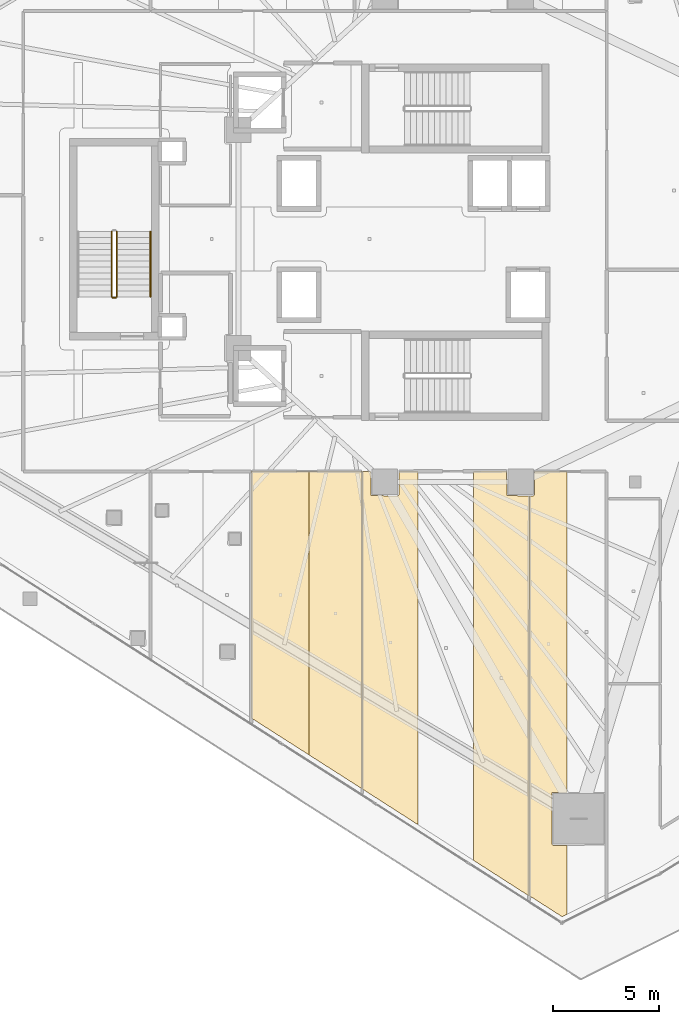
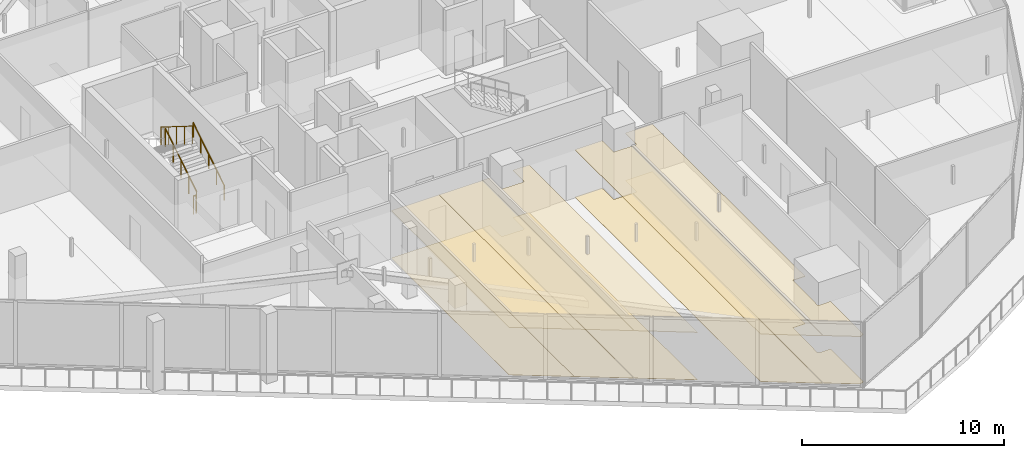
# One storey, part 40 of 47: 10 coverings, 4 railings.
"""IFC4 building model written with IfcOpenShell, lengths in metres."""

from ifc_helpers import new_model, si_unit, direction, frame, origin, origin_2d, place, context, subcontext, project, spatial, polyline, circle, outline, extrude, material, layer, layer_set, type_object, element, save


model = new_model("IFC4")

# Units and contexts
model_context = context("Model", 3, precision=1e-05, world=origin(), true_north=direction((0.0, 1.0)))
body_context = subcontext(model_context, "Body", "Model", "MODEL_VIEW")
ifc_project = project(units=[si_unit("LENGTHUNIT", "METRE"), si_unit("AREAUNIT", "SQUARE_METRE"), si_unit("VOLUMEUNIT", "CUBIC_METRE"), si_unit("PLANEANGLEUNIT", "RADIAN"), si_unit("MASSUNIT", "GRAM", prefix="KILO")], contexts=[model_context])

# Site, building, storey
site_placement = place(None, origin())
site = spatial("IfcSite", under=ifc_project, at=site_placement, CompositionType="ELEMENT")
building_placement = place(site_placement, origin())
building = spatial("IfcBuilding", under=site, at=building_placement, Name="Qorvath Tower", CompositionType="ELEMENT")
storey_placement = place(building_placement, frame((0.0, 0.0, 74.39990234375)))
storey = spatial("IfcBuildingStorey", under=building, at=storey_placement, Name="L16", CompositionType="ELEMENT", Elevation=74.39990234375)

# Coverings
ifc_material_1 = material(Name="Acoustic mineral fibre ceiling tile", Category="gypsum")
ifc_layer_1 = layer(ifc_material_1, 0.030029296875)
ifc_layer_set_1 = layer_set([ifc_layer_1], Name="COV-CEIL")
covering_type_1 = type_object("IfcCoveringType", Name="COV-CEIL", PredefinedType="CEILING", material=ifc_layer_set_1)
covering_1_placement = place(storey_placement, frame((0.0, 0.0, 2.85009765625)))
element("IfcCovering", 1, at=covering_1_placement, inside=storey, type_object=covering_type_1, Name="L16 Suspended Acoustic Ceiling 016", PredefinedType="CEILING", context=body_context, shape_type="SweptSolid", body=[
    extrude(outline(polyline([(-27.168701171875, -24.3251953125), (-27.168701171875, -10.962890625), (-29.883544921875, -10.962890625), (-29.883544921875, -22.590087890625), (-27.168701171875, -24.3251953125)])), origin(), (0.0, 0.0, 1.0), 0.030029296875),
])
covering_2_placement = place(storey_placement, frame((0.0, 0.0, 2.85009765625)))
element("IfcCovering", 2, at=covering_2_placement, inside=storey, type_object=covering_type_1, Name="L16 Suspended Acoustic Ceiling 017", PredefinedType="CEILING", context=body_context, shape_type="SweptSolid", body=[
    extrude(outline(polyline([(-24.671630859375, -10.962890625), (-27.168701171875, -10.962890625), (-27.168701171875, -24.3251953125), (-24.671630859375, -25.9208984375), (-24.671630859375, -10.962890625)])), origin(), (0.0, 0.0, 1.0), 0.030029296875),
])
covering_3_placement = place(storey_placement, frame((0.0, 0.0, 2.85009765625)))
element("IfcCovering", 3, at=covering_3_placement, inside=storey, type_object=covering_type_1, Name="L16 Suspended Acoustic Ceiling 018", PredefinedType="CEILING", context=body_context, shape_type="SweptSolid", body=[
    extrude(outline(polyline([(-24.65380859375, -25.9326171875), (-22.031005859375, -27.615478515625), (-22.031005859375, -10.958740234375), (-22.93994140625, -10.962890625), (-22.93994140625, -12.050048828125), (-23.0, -12.110107421875), (-24.242431640625, -12.092529296875), (-24.260009765625, -10.962890625), (-24.65380859375, -10.962890625), (-24.65380859375, -25.9326171875)])), origin(), (0.0, 0.0, 1.0), 0.030029296875),
])
covering_4_placement = place(storey_placement, frame((0.0, 0.0, 2.85009765625)))
element("IfcCovering", 4, at=covering_4_placement, inside=storey, type_object=covering_type_1, Name="L16 Suspended Acoustic Ceiling 020", PredefinedType="CEILING", context=body_context, shape_type="SweptSolid", body=[
    extrude(outline(polyline([(-19.408447265625, -10.947021484375), (-19.408447265625, -29.298095703125), (-16.80517578125, -30.968505859375), (-16.78564453125, -12.110107421875), (-17.842529296875, -12.092529296875), (-17.860107421875, -10.940185546875), (-19.408447265625, -10.947021484375)])), origin(), (0.0, 0.0, 1.0), 0.030029296875),
])
covering_5_placement = place(storey_placement, frame((0.0, 0.0, 2.85009765625)))
element("IfcCovering", 5, at=covering_5_placement, inside=storey, type_object=covering_type_1, Name="L16 Suspended Acoustic Ceiling 021", PredefinedType="CEILING", context=body_context, shape_type="SweptSolid", body=[
    extrude(outline(polyline([(-15.00830078125, -31.837158203125), (-15.00830078125, -28.5859375), (-15.664306640625, -28.5908203125), (-15.724365234375, -28.53076171875), (-15.706787109375, -26.08837890625), (-15.00830078125, -26.08837890625), (-15.00830078125, -10.962890625), (-16.5400390625, -10.962890625), (-16.5400390625, -12.050048828125), (-16.60009765625, -12.110107421875), (-16.767822265625, -12.110107421875), (-16.787353515625, -30.960205078125), (-15.236572265625, -31.951416015625), (-15.00830078125, -31.837158203125)])), origin(), (0.0, 0.0, 1.0), 0.030029296875),
])
ifc_material_2 = material(Name="Low-VOC modular carpet tile", Category="textile")
ifc_layer_2 = layer(ifc_material_2, 0.014892578125)
ifc_layer_set_2 = layer_set([ifc_layer_2], Name="COV-FLOOR-CPT")
covering_type_2 = type_object("IfcCoveringType", Name="COV-FLOOR-CPT", PredefinedType="FLOORING", material=ifc_layer_set_2)
covering_6_placement = place(storey_placement, origin())
element("IfcCovering", 6, at=covering_6_placement, inside=storey, type_object=covering_type_2, Name="L16 Floor Finish 016", PredefinedType="FLOORING", context=body_context, shape_type="SweptSolid", body=[
    extrude(outline(polyline([(-27.168701171875, -24.3251953125), (-27.168701171875, -10.962890625), (-29.883544921875, -10.962890625), (-29.883544921875, -22.590087890625), (-27.168701171875, -24.3251953125)])), origin(), (0.0, 0.0, 1.0), 0.01513671875),
])
covering_7_placement = place(storey_placement, origin())
element("IfcCovering", 7, at=covering_7_placement, inside=storey, type_object=covering_type_2, Name="L16 Floor Finish 017", PredefinedType="FLOORING", context=body_context, shape_type="SweptSolid", body=[
    extrude(outline(polyline([(-24.671630859375, -10.962890625), (-27.168701171875, -10.962890625), (-27.168701171875, -24.3251953125), (-24.671630859375, -25.9208984375), (-24.671630859375, -10.962890625)])), origin(), (0.0, 0.0, 1.0), 0.01513671875),
])
covering_8_placement = place(storey_placement, origin())
element("IfcCovering", 8, at=covering_8_placement, inside=storey, type_object=covering_type_2, Name="L16 Floor Finish 018", PredefinedType="FLOORING", context=body_context, shape_type="SweptSolid", body=[
    extrude(outline(polyline([(-24.65380859375, -25.9326171875), (-22.031005859375, -27.615478515625), (-22.031005859375, -10.958740234375), (-22.93994140625, -10.962890625), (-22.93994140625, -12.050048828125), (-23.0, -12.110107421875), (-24.242431640625, -12.092529296875), (-24.260009765625, -10.962890625), (-24.65380859375, -10.962890625), (-24.65380859375, -25.9326171875)])), origin(), (0.0, 0.0, 1.0), 0.01513671875),
])
covering_9_placement = place(storey_placement, origin())
element("IfcCovering", 9, at=covering_9_placement, inside=storey, type_object=covering_type_2, Name="L16 Floor Finish 020", PredefinedType="FLOORING", context=body_context, shape_type="SweptSolid", body=[
    extrude(outline(polyline([(-19.408447265625, -10.947021484375), (-19.408447265625, -29.298095703125), (-16.80517578125, -30.968505859375), (-16.78564453125, -12.110107421875), (-17.842529296875, -12.092529296875), (-17.860107421875, -10.940185546875), (-19.408447265625, -10.947021484375)])), origin(), (0.0, 0.0, 1.0), 0.01513671875),
])
covering_10_placement = place(storey_placement, origin())
element("IfcCovering", 10, at=covering_10_placement, inside=storey, type_object=covering_type_2, Name="L16 Floor Finish 021", PredefinedType="FLOORING", context=body_context, shape_type="SweptSolid", body=[
    extrude(outline(polyline([(-15.00830078125, -31.837158203125), (-15.00830078125, -28.5859375), (-15.664306640625, -28.5908203125), (-15.724365234375, -28.53076171875), (-15.706787109375, -26.08837890625), (-15.00830078125, -26.08837890625), (-15.00830078125, -10.962890625), (-16.5400390625, -10.962890625), (-16.5400390625, -12.050048828125), (-16.60009765625, -12.110107421875), (-16.767822265625, -12.110107421875), (-16.787353515625, -30.960205078125), (-15.236572265625, -31.951416015625), (-15.00830078125, -31.837158203125)])), origin(), (0.0, 0.0, 1.0), 0.01513671875),
])

# Railings
ifc_material_3 = material(Name="Painted galvanised steel", Category="steel")
railing_type_1 = type_object("IfcRailingType", Name="RL-STR-GRD", PredefinedType="GUARDRAIL", material=ifc_material_3)
railing_1_placement = place(storey_placement, frame((-36.22998046875, -2.719970703125, 0.175048828125)))
element("IfcRailing", 11, at=railing_1_placement, inside=storey, type_object=railing_type_1, Name="L16 TS3 stair guard 1", PredefinedType="GUARDRAIL", context=body_context, shape_type="SweptSolid", body=[
    extrude(circle(Radius=0.02392578125, at=origin_2d()), frame((0.0, 0.0, 1.076171875), z_axis=(0.0, 0.847998304005, 0.529998940003), x_axis=(-1.0, 0.0, 0.0)), (0.0, 0.0, 1.0), 3.632080078125),
    extrude(circle(Radius=0.02099609375, at=origin_2d()), origin(), (0.0, 0.0, 1.0), 1.052001953125),
    extrude(circle(Radius=0.02099609375, at=origin_2d()), frame((0.0, 0.77001953125, 0.481201171875)), (0.0, 0.0, 1.0), 1.052001953125),
    extrude(circle(Radius=0.02099609375, at=origin_2d()), frame((0.0, 1.5400390625, 0.96240234375)), (0.0, 0.0, 1.0), 1.052001953125),
    extrude(circle(Radius=0.02099609375, at=origin_2d()), frame((0.0, 2.31005859375, 1.44384765625)), (0.0, 0.0, 1.0), 1.052001953125),
    extrude(circle(Radius=0.02099609375, at=origin_2d()), frame((0.0, 3.080078125, 1.925048828125)), (0.0, 0.0, 1.0), 1.052001953125),
])
railing_2_placement = place(storey_placement, frame((-36.47998046875, 0.360107421875, 2.275146484375)))
element("IfcRailing", 12, at=railing_2_placement, inside=storey, type_object=railing_type_1, Name="L16 TS3 stair guard 3", PredefinedType="GUARDRAIL", context=body_context, shape_type="SweptSolid", body=[
    extrude(circle(Radius=0.02392578125, at=origin_2d()), frame((0.0, 0.0, 1.076171875), z_axis=(0.0, -0.847998304005, 0.529998940003), x_axis=(1.0, 0.0, 0.0)), (0.0, 0.0, 1.0), 3.632080078125),
    extrude(circle(Radius=0.02099609375, at=origin_2d()), origin(), (0.0, 0.0, 1.0), 1.052001953125),
    extrude(circle(Radius=0.02099609375, at=origin_2d()), frame((0.0, -0.77001953125, 0.481201171875)), (0.0, 0.0, 1.0), 1.052001953125),
    extrude(circle(Radius=0.02099609375, at=origin_2d()), frame((0.0, -1.5400390625, 0.96240234375)), (0.0, 0.0, 1.0), 1.052001953125),
    extrude(circle(Radius=0.02099609375, at=origin_2d()), frame((0.0, -2.31005859375, 1.44384765625)), (0.0, 0.0, 1.0), 1.052001953125),
    extrude(circle(Radius=0.02099609375, at=origin_2d()), frame((0.0, -3.080078125, 1.925048828125)), (0.0, 0.0, 1.0), 1.052001953125),
])
railing_3_placement = place(storey_placement, frame((-36.280029296875, -2.77001953125, 0.0)))
element("IfcRailing", 13, at=railing_3_placement, inside=storey, type_object=railing_type_1, Name="L16 TS3 stair guard 4", PredefinedType="GUARDRAIL", context=body_context, shape_type="SweptSolid", body=[
    extrude(circle(Radius=0.02392578125, at=origin_2d()), frame((0.0, 0.0, 1.076171875), z_axis=(-1.0, 0.0, 0.0), x_axis=(0.0, -1.0, 0.0)), (0.0, 0.0, 1.0), 0.14990234375),
    extrude(circle(Radius=0.02099609375, at=origin_2d()), origin(), (0.0, 0.0, 1.0), 1.052001953125),
    extrude(circle(Radius=0.02099609375, at=origin_2d()), frame((-0.14990234375, 0.0, 0.0)), (0.0, 0.0, 1.0), 1.052001953125),
])
ifc_material_4 = material(Name="Brushed stainless steel AISI 304", Category="steel")
railing_type_2 = type_object("IfcRailingType", Name="RL-STR-HND", PredefinedType="HANDRAIL", material=ifc_material_4)
railing_4_placement = place(storey_placement, frame((-34.64990234375, -2.719970703125, 0.175048828125)))
element("IfcRailing", 14, at=railing_4_placement, inside=storey, type_object=railing_type_2, Name="L16 TS3 stair handrail 1", PredefinedType="HANDRAIL", context=body_context, shape_type="SweptSolid", body=[
    extrude(circle(Radius=0.02392578125, at=origin_2d()), frame((0.0, 0.0, 0.8759765625), z_axis=(0.0, 0.847998304005, 0.529998940003), x_axis=(-1.0, 0.0, 0.0)), (0.0, 0.0, 1.0), 3.632080078125),
    extrude(circle(Radius=0.02099609375, at=origin_2d()), origin(), (0.0, 0.0, 1.0), 0.851806640625),
    extrude(circle(Radius=0.02099609375, at=origin_2d()), frame((0.0, 0.77001953125, 0.481201171875)), (0.0, 0.0, 1.0), 0.851806640625),
    extrude(circle(Radius=0.02099609375, at=origin_2d()), frame((0.0, 1.5400390625, 0.96240234375)), (0.0, 0.0, 1.0), 0.851806640625),
    extrude(circle(Radius=0.02099609375, at=origin_2d()), frame((0.0, 2.31005859375, 1.44384765625)), (0.0, 0.0, 1.0), 0.851806640625),
    extrude(circle(Radius=0.02099609375, at=origin_2d()), frame((0.0, 3.080078125, 1.925048828125)), (0.0, 0.0, 1.0), 0.851806640625),
])

save(model, "model.ifc")
